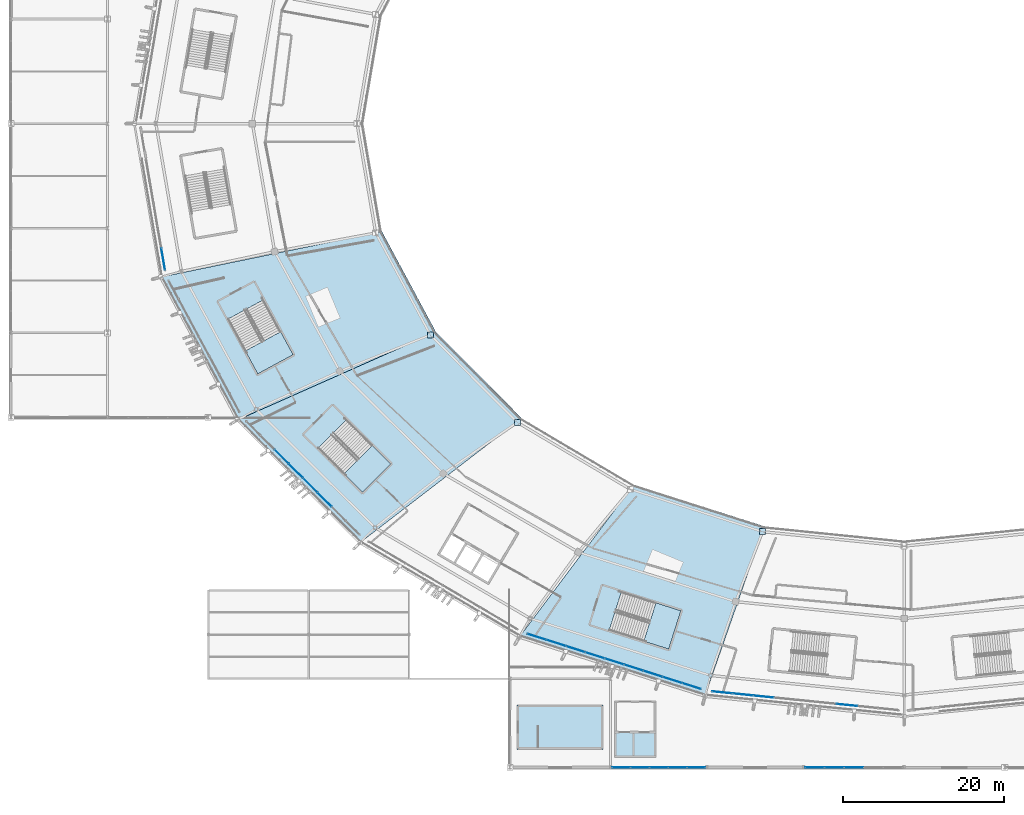
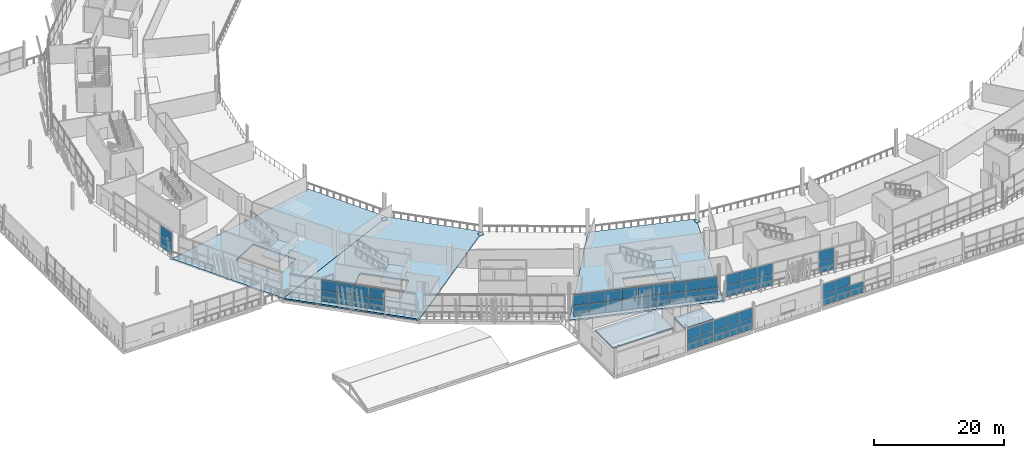
# One storey, part 92 of 179: 54 plates, 8 slabs, 9 elements without a shape of their own.
"""IFC4 building model written with IfcOpenShell, lengths in metres."""

from ifc_helpers import new_model, si_unit, direction, frame, origin, origin_2d, place, context, subcontext, project, spatial, polyline, rectangle, outline, extrude, material, layer, layer_set, type_object, element, aggregate, save


model = new_model("IFC4")

# Units and contexts
model_context = context("Model", 3, precision=1e-05, world=origin(), true_north=direction((0.0, 1.0)))
body_context = subcontext(model_context, "Body", "Model", "MODEL_VIEW")
ifc_project = project(units=[si_unit("LENGTHUNIT", "METRE"), si_unit("AREAUNIT", "SQUARE_METRE"), si_unit("VOLUMEUNIT", "CUBIC_METRE"), si_unit("PLANEANGLEUNIT", "RADIAN"), si_unit("MASSUNIT", "GRAM", prefix="KILO")], contexts=[model_context])

# Site, building, storey
site_placement = place(None, origin())
site = spatial("IfcSite", under=ifc_project, at=site_placement, CompositionType="ELEMENT")
building_placement = place(site_placement, origin())
building = spatial("IfcBuilding", under=site, at=building_placement, Name="Zlatoyarsky Gate Stadium", CompositionType="ELEMENT")
storey_placement = place(building_placement, frame((0.0, 0.0, 10.60009765625)))
storey = spatial("IfcBuildingStorey", under=building, at=storey_placement, Name="L02", CompositionType="ELEMENT", Elevation=10.60009765625)

# Curtain wall, plates
ifc_material_1 = material(Name="Thermally broken anodised aluminium curtain wall", Category="aluminium")
curtain_wall_type_1 = type_object("IfcCurtainWallType", Name="MONUMENTAL ARCHED GATE GLAZING UPPER", PredefinedType="USERDEFINED", material=ifc_material_1)
curtain_wall_1_placement = place(storey_placement, origin())
curtain_wall_1 = element("IfcCurtainWall", 1, at=curtain_wall_1_placement, inside=storey, type_object=curtain_wall_type_1, Name="Curtain wall CW-L02-12", ObjectType="ARCHED GATE GLAZING", PredefinedType="USERDEFINED")
ifc_material_2 = material(Name="Triple-glazed argon low-e architectural glass", Category="glass")
ifc_layer_1 = layer(ifc_material_2, 0.0458984375)
ifc_layer_set_1 = layer_set([ifc_layer_1], Name="Triple-glazed argon low-e architectural glass")
plate_type_1 = type_object("IfcPlateType", Name="ACOUSTIC LAMINATED GATE GLAZING PANEL 46", PredefinedType="CURTAIN_PANEL", material=ifc_layer_set_1)
plate_1_placement = place(storey_placement, frame((18.909912109375, 63.15771484375, 0.074951171875), z_axis=(0.0, 0.0, 1.0), x_axis=(0.168878353177, -0.985636901617, 0.0)))
plate_1 = element("IfcPlate", 2, at=plate_1_placement, type_object=plate_type_1, Name="CW-AG2 panel 5.1", PredefinedType="CURTAIN_PANEL", context=body_context, shape_type="SweptSolid", body=[
    extrude(rectangle(XDim=2.699951171875, YDim=0.0458984375, at=origin_2d()), origin(), (0.0, 0.0, 1.0), 2.03759765625),
])
plate_2_placement = place(storey_placement, frame((18.909912109375, 63.15771484375, 2.1875), z_axis=(0.0, 0.0, 1.0), x_axis=(0.168878353177, -0.985636901617, 0.0)))
plate_2 = element("IfcPlate", 3, at=plate_2_placement, type_object=plate_type_1, Name="CW-AG2 panel 5.2", PredefinedType="CURTAIN_PANEL", context=body_context, shape_type="SweptSolid", body=[
    extrude(rectangle(XDim=2.699951171875, YDim=0.0458984375, at=origin_2d()), origin(), (0.0, 0.0, 1.0), 1.9375),
])
aggregate(curtain_wall_1, [plate_1, plate_2])

# Slabs
ifc_material_3 = material(Name="Concrete C40/50", Category="concrete")
ifc_layer_2 = layer(ifc_material_3, 0.239990234375)
ifc_layer_set_2 = layer_set([ifc_layer_2], Name="Concrete C40/50")
slab_type_1 = type_object("IfcSlabType", Name="CONCRETE CORE TOP CAP SLAB 240", PredefinedType="ROOF", material=ifc_layer_set_2)
slab_1_placement = place(storey_placement, frame((0.0, 0.0, 3.199951171875)))
element("IfcSlab", 4, at=slab_1_placement, inside=storey, type_object=slab_type_1, Name="ST-29 stair headhouse roof cap", PredefinedType="ROOF", context=body_context, shape_type="SweptSolid", body=[
    extrude(outline(polyline([(62.85009765625, 2.25), (73.550048828125, 2.25), (73.550048828125, 7.75), (62.85009765625, 7.75), (62.85009765625, 2.25)])), origin(), (0.0, 0.0, 1.0), 0.239990234375),
])
slab_2_placement = place(storey_placement, frame((0.0, 0.0, 3.199951171875)))
element("IfcSlab", 5, at=slab_2_placement, inside=storey, type_object=slab_type_1, Name="C6 lift overrun top cap slab", PredefinedType="ROOF", context=body_context, shape_type="SweptSolid", body=[
    extrude(outline(polyline([(75.0, 1.199951171875), (80.14990234375, 1.199951171875), (80.14990234375, 4.5), (75.0, 4.5), (75.0, 1.199951171875)])), origin(), (0.0, 0.0, 1.0), 0.239990234375),
])
ifc_layer_3 = layer(ifc_material_3, 0.280029296875)
ifc_layer_set_3 = layer_set([ifc_layer_3], Name="Concrete C40/50")
slab_type_2 = type_object("IfcSlabType", Name="CONCRETE HOSPITALITY SLAB 280", PredefinedType="FLOOR", material=ifc_layer_set_3)
slab_3_placement = place(storey_placement, frame((0.0, 0.0, -0.280029296875)))
element("IfcSlab", 6, at=slab_3_placement, inside=storey, type_object=slab_type_2, Name="L02 bowl sector 13 slab", PredefinedType="FLOOR", context=body_context, shape_type="SweptSolid", body=[
    extrude(outline(polyline([(52.802978515625, 54.10009765625), (28.14208984375, 43.162109375), (18.584228515625, 60.931396484375), (46.08984375, 66.59326171875), (52.802978515625, 54.10009765625)]), holes=[polyline([(31.364501953125, 58.09716796875), (26.969482421875, 55.712646484375), (30.66552734375, 48.90087890625), (35.060302734375, 51.28515625), (31.364501953125, 58.09716796875)])]), origin(), (0.0, 0.0, 1.0), 0.280029296875),
])
slab_4_placement = place(storey_placement, frame((0.0, 0.0, -0.280029296875)))
element("IfcSlab", 7, at=slab_4_placement, inside=storey, type_object=slab_type_2, Name="L02 bowl sector 14 slab", PredefinedType="FLOOR", context=body_context, shape_type="SweptSolid", body=[
    extrude(outline(polyline([(63.482421875, 43.371826171875), (43.346923828125, 27.9033203125), (28.14208984375, 43.162109375), (52.802978515625, 54.10009765625), (63.482421875, 43.371826171875)]), holes=[polyline([(38.171875, 39.652587890625), (43.665771484375, 34.1865234375), (47.1923828125, 37.731201171875), (41.6982421875, 43.197265625), (38.171875, 39.652587890625)])]), origin(), (0.0, 0.0, 1.0), 0.280029296875),
])
slab_5_placement = place(storey_placement, frame((0.0, 0.0, -0.280029296875)))
element("IfcSlab", 8, at=slab_5_placement, inside=storey, type_object=slab_type_2, Name="L02 bowl sector 16 slab", PredefinedType="FLOOR", context=body_context, shape_type="SweptSolid", body=[
    extrude(outline(polyline([(93.607421875, 29.965087890625), (86.2373046875, 8.83447265625), (63.162109375, 16.19482421875), (77.39990234375, 35.139892578125), (93.607421875, 29.965087890625)]), holes=[polyline([(75.854248046875, 21.802978515625), (74.3466796875, 17.035888671875), (81.736083984375, 14.69921875), (83.24365234375, 19.46630859375), (75.854248046875, 21.802978515625)])]), origin(), (0.0, 0.0, 1.0), 0.280029296875),
])

# Stair, slab
stair_type = type_object("IfcStairType", Name="CONCRETE DOGLEG EXIT STAIR H5000", PredefinedType="TWO_STRAIGHT_RUN_STAIR", material=ifc_material_3)
stair_1_placement = place(storey_placement, origin())
stair_1 = element("IfcStair", 9, at=stair_1_placement, inside=storey, type_object=stair_type, Name="L02 Exit Stair ST-08", PredefinedType="TWO_STRAIGHT_RUN_STAIR")
ifc_layer_4 = layer(ifc_material_3, 0.199951171875)
ifc_layer_set_4 = layer_set([ifc_layer_4], Name="Concrete C40/50")
slab_type_3 = type_object("IfcSlabType", Name="CONCRETE STAIR LANDING SLAB 200", PredefinedType="LANDING", material=ifc_layer_set_4)
slab_6_placement = place(storey_placement, frame((0.0, 0.0, 2.2998046875)))
slab_6 = element("IfcSlab", 10, at=slab_6_placement, type_object=slab_type_3, Name="ST-DG50 landing 1", PredefinedType="LANDING", context=body_context, shape_type="SweptSolid", body=[
    extrude(outline(polyline([(41.36181640625, 36.478759765625), (43.665771484375, 34.1865234375), (47.1923828125, 37.73095703125), (44.888427734375, 40.0234375), (41.36181640625, 36.478759765625)])), origin(), (0.0, 0.0, 1.0), 0.2001953125),
])
aggregate(stair_1, [slab_6])

stair_2_placement = place(storey_placement, origin())
stair_2 = element("IfcStair", 11, at=stair_2_placement, inside=storey, type_object=stair_type, Name="L02 Exit Stair ST-09", PredefinedType="TWO_STRAIGHT_RUN_STAIR")
slab_7_placement = place(storey_placement, frame((0.0, 0.0, 2.2998046875)))
slab_7 = element("IfcSlab", 12, at=slab_7_placement, type_object=slab_type_3, Name="ST-DG50 landing 1", PredefinedType="LANDING", context=body_context, shape_type="SweptSolid", body=[
    extrude(outline(polyline([(78.63720703125, 15.678955078125), (81.736083984375, 14.69921875), (83.24365234375, 19.46630859375), (80.144775390625, 20.4462890625), (78.63720703125, 15.678955078125)])), origin(), (0.0, 0.0, 1.0), 0.2001953125),
])
aggregate(stair_2, [slab_7])

stair_3_placement = place(storey_placement, origin())
stair_3 = element("IfcStair", 13, at=stair_3_placement, inside=storey, type_object=stair_type, Name="L02 Exit Stair ST-15", PredefinedType="TWO_STRAIGHT_RUN_STAIR")
slab_8_placement = place(storey_placement, frame((0.0, 0.0, 2.2998046875)))
slab_8 = element("IfcSlab", 14, at=slab_8_placement, type_object=slab_type_3, Name="ST-DG50 landing 1", PredefinedType="LANDING", context=body_context, shape_type="SweptSolid", body=[
    extrude(outline(polyline([(29.115478515625, 51.75732421875), (30.66552734375, 48.90087890625), (35.060302734375, 51.28515625), (33.510498046875, 54.141845703125), (29.115478515625, 51.75732421875)])), origin(), (0.0, 0.0, 1.0), 0.2001953125),
])
aggregate(stair_3, [slab_8])

# Plates
ifc_material_4 = material(Name="Steel S355", Category="steel")
ifc_layer_5 = layer(ifc_material_4, 0.0400390625)
ifc_layer_set_5 = layer_set([ifc_layer_5], Name="Steel S355")
plate_type_2 = type_object("IfcPlateType", Name="STEEL COLUMN BASE PLATE 40", PredefinedType="USERDEFINED", material=ifc_layer_set_5)
for number, where, z_axis, x_axis, name in (
    (15, (52.1103515625, 53.75, 0.0), (0.0, 0.0, 1.0), (1.0, 0.0, 0.0), "Column base plate BP-01 at RA-14 L02"),
    (16, (62.916748046875, 42.876953125, 0.0), (0.0, 0.0, 1.0), (1.0, 0.0, 0.0), "Column base plate BP-01 at RA-15 L02"),
    (17, (93.400390625, 29.288818359375, 0.0), (0.0, 0.0, 1.0), (1.0, 0.0, 0.0), "Column base plate BP-01 at RA-17 L02"),
):
    element("IfcPlate", number, at=place(storey_placement, frame(where, z_axis=z_axis, x_axis=x_axis)), inside=storey, type_object=plate_type_2, Name=name, ObjectType="BASE PLATE", PredefinedType="USERDEFINED", context=body_context, shape_type="SweptSolid", body=[
        extrude(rectangle(XDim=0.75, YDim=0.75, at=origin_2d()), origin(), (0.0, 0.0, 1.0), 0.0400390625),
    ])

# Curtain wall, plates
curtain_wall_type_2 = type_object("IfcCurtainWallType", Name="UNITISED HOSPITALITY GLAZING L02", PredefinedType="USERDEFINED", material=ifc_material_1)
curtain_wall_2_placement = place(storey_placement, origin())
curtain_wall_2 = element("IfcCurtainWall", 18, at=curtain_wall_2_placement, inside=storey, type_object=curtain_wall_type_2, Name="Curtain wall CW-L02-14", ObjectType="UNITISED GLAZING", PredefinedType="USERDEFINED")
ifc_layer_6 = layer(ifc_material_2, 0.0380859375)
ifc_layer_set_6 = layer_set([ifc_layer_6], Name="Triple-glazed argon low-e architectural glass")
plate_type_3 = type_object("IfcPlateType", Name="TRIPLE GLAZED LOW E CURTAIN PANEL 38", PredefinedType="CURTAIN_PANEL", material=ifc_layer_set_6)
plate_3_placement = place(storey_placement, frame((33.637451171875, 38.616455078125, 0.06494140625), z_axis=(0.0, 0.0, 1.0), x_axis=(0.706625557031, -0.707587678066, 0.0)))
plate_3 = element("IfcPlate", 19, at=plate_3_placement, type_object=plate_type_3, Name="CW-UG2 panel 3.1", PredefinedType="CURTAIN_PANEL", context=body_context, shape_type="SweptSolid", body=[
    extrude(rectangle(XDim=2.4423828125, YDim=0.0380859375, at=origin_2d()), origin(), (0.0, 0.0, 1.0), 2.052490234375),
])
plate_4_placement = place(storey_placement, frame((33.637451171875, 38.616455078125, 2.1826171875), z_axis=(0.0, 0.0, 1.0), x_axis=(0.706625557031, -0.707587678066, 0.0)))
plate_4 = element("IfcPlate", 20, at=plate_4_placement, type_object=plate_type_3, Name="CW-UG2 panel 3.2", PredefinedType="CURTAIN_PANEL", context=body_context, shape_type="SweptSolid", body=[
    extrude(rectangle(XDim=2.4423828125, YDim=0.0380859375, at=origin_2d()), origin(), (0.0, 0.0, 1.0), 1.952392578125),
])
plate_5_placement = place(storey_placement, frame((35.4091796875, 36.84228515625, 0.06494140625), z_axis=(0.0, 0.0, 1.0), x_axis=(0.706625557031, -0.707587678066, 0.0)))
plate_5 = element("IfcPlate", 21, at=plate_5_placement, type_object=plate_type_3, Name="CW-UG2 panel 4.1", PredefinedType="CURTAIN_PANEL", context=body_context, shape_type="SweptSolid", body=[
    extrude(rectangle(XDim=2.4423828125, YDim=0.0380859375, at=origin_2d()), origin(), (0.0, 0.0, 1.0), 2.052490234375),
])
plate_6_placement = place(storey_placement, frame((35.4091796875, 36.84228515625, 2.1826171875), z_axis=(0.0, 0.0, 1.0), x_axis=(0.706625557031, -0.707587678066, 0.0)))
plate_6 = element("IfcPlate", 22, at=plate_6_placement, type_object=plate_type_3, Name="CW-UG2 panel 4.2", PredefinedType="CURTAIN_PANEL", context=body_context, shape_type="SweptSolid", body=[
    extrude(rectangle(XDim=2.4423828125, YDim=0.0380859375, at=origin_2d()), origin(), (0.0, 0.0, 1.0), 1.952392578125),
])
plate_7_placement = place(storey_placement, frame((37.18115234375, 35.068115234375, 0.06494140625), z_axis=(0.0, 0.0, 1.0), x_axis=(0.706625557031, -0.707587678066, 0.0)))
plate_7 = element("IfcPlate", 23, at=plate_7_placement, type_object=plate_type_3, Name="CW-UG2 panel 5.1", PredefinedType="CURTAIN_PANEL", context=body_context, shape_type="SweptSolid", body=[
    extrude(rectangle(XDim=2.4423828125, YDim=0.0380859375, at=origin_2d()), origin(), (0.0, 0.0, 1.0), 2.052490234375),
])
plate_8_placement = place(storey_placement, frame((37.18115234375, 35.068115234375, 2.1826171875), z_axis=(0.0, 0.0, 1.0), x_axis=(0.706625557031, -0.707587678066, 0.0)))
plate_8 = element("IfcPlate", 24, at=plate_8_placement, type_object=plate_type_3, Name="CW-UG2 panel 5.2", PredefinedType="CURTAIN_PANEL", context=body_context, shape_type="SweptSolid", body=[
    extrude(rectangle(XDim=2.4423828125, YDim=0.0380859375, at=origin_2d()), origin(), (0.0, 0.0, 1.0), 1.952392578125),
])
plate_9_placement = place(storey_placement, frame((38.952880859375, 33.293701171875, 0.06494140625), z_axis=(0.0, 0.0, 1.0), x_axis=(0.706625557031, -0.707587678066, 0.0)))
plate_9 = element("IfcPlate", 25, at=plate_9_placement, type_object=plate_type_3, Name="CW-UG2 panel 6.1", PredefinedType="CURTAIN_PANEL", context=body_context, shape_type="SweptSolid", body=[
    extrude(rectangle(XDim=2.4423828125, YDim=0.0380859375, at=origin_2d()), origin(), (0.0, 0.0, 1.0), 2.052490234375),
])
plate_10_placement = place(storey_placement, frame((38.952880859375, 33.293701171875, 2.1826171875), z_axis=(0.0, 0.0, 1.0), x_axis=(0.706625557031, -0.707587678066, 0.0)))
plate_10 = element("IfcPlate", 26, at=plate_10_placement, type_object=plate_type_3, Name="CW-UG2 panel 6.2", PredefinedType="CURTAIN_PANEL", context=body_context, shape_type="SweptSolid", body=[
    extrude(rectangle(XDim=2.4423828125, YDim=0.0380859375, at=origin_2d()), origin(), (0.0, 0.0, 1.0), 1.952392578125),
])
aggregate(curtain_wall_2, [plate_3, plate_4, plate_5, plate_6, plate_7, plate_8, plate_9, plate_10])

curtain_wall_3_placement = place(storey_placement, origin())
curtain_wall_3 = element("IfcCurtainWall", 27, at=curtain_wall_3_placement, inside=storey, type_object=curtain_wall_type_2, Name="Curtain wall CW-L02-16", ObjectType="UNITISED GLAZING", PredefinedType="USERDEFINED")
plate_11_placement = place(storey_placement, frame((65.3505859375, 16.2158203125, 0.06494140625), z_axis=(0.0, 0.0, 1.0), x_axis=(0.952902096538, -0.303278080998, 0.0)))
plate_11 = element("IfcPlate", 28, at=plate_11_placement, type_object=plate_type_3, Name="CW-UG2 panel 1.1", PredefinedType="CURTAIN_PANEL", context=body_context, shape_type="SweptSolid", body=[
    extrude(rectangle(XDim=2.428955078125, YDim=0.0380859375, at=origin_2d()), origin(), (0.0, 0.0, 1.0), 2.052490234375),
])
plate_12_placement = place(storey_placement, frame((65.3505859375, 16.2158203125, 2.1826171875), z_axis=(0.0, 0.0, 1.0), x_axis=(0.952902096538, -0.303278080998, 0.0)))
plate_12 = element("IfcPlate", 29, at=plate_12_placement, type_object=plate_type_3, Name="CW-UG2 panel 1.2", PredefinedType="CURTAIN_PANEL", context=body_context, shape_type="SweptSolid", body=[
    extrude(rectangle(XDim=2.428955078125, YDim=0.0380859375, at=origin_2d()), origin(), (0.0, 0.0, 1.0), 1.952392578125),
])
plate_13_placement = place(storey_placement, frame((67.74267578125, 15.45458984375, 0.06494140625), z_axis=(0.0, 0.0, 1.0), x_axis=(0.952902096538, -0.303278080998, 0.0)))
plate_13 = element("IfcPlate", 30, at=plate_13_placement, type_object=plate_type_3, Name="CW-UG2 panel 2.1", PredefinedType="CURTAIN_PANEL", context=body_context, shape_type="SweptSolid", body=[
    extrude(rectangle(XDim=2.46142578125, YDim=0.0380859375, at=origin_2d()), origin(), (0.0, 0.0, 1.0), 2.052490234375),
])
plate_14_placement = place(storey_placement, frame((67.74267578125, 15.45458984375, 2.1826171875), z_axis=(0.0, 0.0, 1.0), x_axis=(0.952902096538, -0.303278080998, 0.0)))
plate_14 = element("IfcPlate", 31, at=plate_14_placement, type_object=plate_type_3, Name="CW-UG2 panel 2.2", PredefinedType="CURTAIN_PANEL", context=body_context, shape_type="SweptSolid", body=[
    extrude(rectangle(XDim=2.46142578125, YDim=0.0380859375, at=origin_2d()), origin(), (0.0, 0.0, 1.0), 1.952392578125),
])
plate_15_placement = place(storey_placement, frame((70.150146484375, 14.688232421875, 0.06494140625), z_axis=(0.0, 0.0, 1.0), x_axis=(0.952902096538, -0.303278080998, 0.0)))
plate_15 = element("IfcPlate", 32, at=plate_15_placement, type_object=plate_type_3, Name="CW-UG2 panel 3.1", PredefinedType="CURTAIN_PANEL", context=body_context, shape_type="SweptSolid", body=[
    extrude(rectangle(XDim=2.46142578125, YDim=0.0380859375, at=origin_2d()), origin(), (0.0, 0.0, 1.0), 2.052490234375),
])
plate_16_placement = place(storey_placement, frame((70.150146484375, 14.688232421875, 2.1826171875), z_axis=(0.0, 0.0, 1.0), x_axis=(0.952902096538, -0.303278080998, 0.0)))
plate_16 = element("IfcPlate", 33, at=plate_16_placement, type_object=plate_type_3, Name="CW-UG2 panel 3.2", PredefinedType="CURTAIN_PANEL", context=body_context, shape_type="SweptSolid", body=[
    extrude(rectangle(XDim=2.46142578125, YDim=0.0380859375, at=origin_2d()), origin(), (0.0, 0.0, 1.0), 1.952392578125),
])
plate_17_placement = place(storey_placement, frame((72.5576171875, 13.922119140625, 0.06494140625), z_axis=(0.0, 0.0, 1.0), x_axis=(0.952902096538, -0.303278080998, 0.0)))
plate_17 = element("IfcPlate", 34, at=plate_17_placement, type_object=plate_type_3, Name="CW-UG2 panel 4.1", PredefinedType="CURTAIN_PANEL", context=body_context, shape_type="SweptSolid", body=[
    extrude(rectangle(XDim=2.46142578125, YDim=0.0380859375, at=origin_2d()), origin(), (0.0, 0.0, 1.0), 2.052490234375),
])
plate_18_placement = place(storey_placement, frame((72.5576171875, 13.922119140625, 2.1826171875), z_axis=(0.0, 0.0, 1.0), x_axis=(0.952902096538, -0.303278080998, 0.0)))
plate_18 = element("IfcPlate", 35, at=plate_18_placement, type_object=plate_type_3, Name="CW-UG2 panel 4.2", PredefinedType="CURTAIN_PANEL", context=body_context, shape_type="SweptSolid", body=[
    extrude(rectangle(XDim=2.46142578125, YDim=0.0380859375, at=origin_2d()), origin(), (0.0, 0.0, 1.0), 1.952392578125),
])
plate_19_placement = place(storey_placement, frame((74.965087890625, 13.15576171875, 0.06494140625), z_axis=(0.0, 0.0, 1.0), x_axis=(0.952902096538, -0.303278080998, 0.0)))
plate_19 = element("IfcPlate", 36, at=plate_19_placement, type_object=plate_type_3, Name="CW-UG2 panel 5.1", PredefinedType="CURTAIN_PANEL", context=body_context, shape_type="SweptSolid", body=[
    extrude(rectangle(XDim=2.46142578125, YDim=0.0380859375, at=origin_2d()), origin(), (0.0, 0.0, 1.0), 2.052490234375),
])
plate_20_placement = place(storey_placement, frame((74.965087890625, 13.15576171875, 2.1826171875), z_axis=(0.0, 0.0, 1.0), x_axis=(0.952902096538, -0.303278080998, 0.0)))
plate_20 = element("IfcPlate", 37, at=plate_20_placement, type_object=plate_type_3, Name="CW-UG2 panel 5.2", PredefinedType="CURTAIN_PANEL", context=body_context, shape_type="SweptSolid", body=[
    extrude(rectangle(XDim=2.46142578125, YDim=0.0380859375, at=origin_2d()), origin(), (0.0, 0.0, 1.0), 1.952392578125),
])
plate_21_placement = place(storey_placement, frame((77.372802734375, 12.3896484375, 0.06494140625), z_axis=(0.0, 0.0, 1.0), x_axis=(0.952902096538, -0.303278080998, 0.0)))
plate_21 = element("IfcPlate", 38, at=plate_21_placement, type_object=plate_type_3, Name="CW-UG2 panel 6.1", PredefinedType="CURTAIN_PANEL", context=body_context, shape_type="SweptSolid", body=[
    extrude(rectangle(XDim=2.46142578125, YDim=0.0380859375, at=origin_2d()), origin(), (0.0, 0.0, 1.0), 2.052490234375),
])
plate_22_placement = place(storey_placement, frame((77.372802734375, 12.3896484375, 2.1826171875), z_axis=(0.0, 0.0, 1.0), x_axis=(0.952902096538, -0.303278080998, 0.0)))
plate_22 = element("IfcPlate", 39, at=plate_22_placement, type_object=plate_type_3, Name="CW-UG2 panel 6.2", PredefinedType="CURTAIN_PANEL", context=body_context, shape_type="SweptSolid", body=[
    extrude(rectangle(XDim=2.46142578125, YDim=0.0380859375, at=origin_2d()), origin(), (0.0, 0.0, 1.0), 1.952392578125),
])
plate_23_placement = place(storey_placement, frame((79.7802734375, 11.623291015625, 0.06494140625), z_axis=(0.0, 0.0, 1.0), x_axis=(0.952902096538, -0.303278080998, 0.0)))
plate_23 = element("IfcPlate", 40, at=plate_23_placement, type_object=plate_type_3, Name="CW-UG2 panel 7.1", PredefinedType="CURTAIN_PANEL", context=body_context, shape_type="SweptSolid", body=[
    extrude(rectangle(XDim=2.46142578125, YDim=0.0380859375, at=origin_2d()), origin(), (0.0, 0.0, 1.0), 2.052490234375),
])
plate_24_placement = place(storey_placement, frame((79.7802734375, 11.623291015625, 2.1826171875), z_axis=(0.0, 0.0, 1.0), x_axis=(0.952902096538, -0.303278080998, 0.0)))
plate_24 = element("IfcPlate", 41, at=plate_24_placement, type_object=plate_type_3, Name="CW-UG2 panel 7.2", PredefinedType="CURTAIN_PANEL", context=body_context, shape_type="SweptSolid", body=[
    extrude(rectangle(XDim=2.46142578125, YDim=0.0380859375, at=origin_2d()), origin(), (0.0, 0.0, 1.0), 1.952392578125),
])
plate_25_placement = place(storey_placement, frame((82.187744140625, 10.857177734375, 0.06494140625), z_axis=(0.0, 0.0, 1.0), x_axis=(0.952902096538, -0.303278080998, 0.0)))
plate_25 = element("IfcPlate", 42, at=plate_25_placement, type_object=plate_type_3, Name="CW-UG2 panel 8.1", PredefinedType="CURTAIN_PANEL", context=body_context, shape_type="SweptSolid", body=[
    extrude(rectangle(XDim=2.46142578125, YDim=0.0380859375, at=origin_2d()), origin(), (0.0, 0.0, 1.0), 2.052490234375),
])
plate_26_placement = place(storey_placement, frame((82.187744140625, 10.857177734375, 2.1826171875), z_axis=(0.0, 0.0, 1.0), x_axis=(0.952902096538, -0.303278080998, 0.0)))
plate_26 = element("IfcPlate", 43, at=plate_26_placement, type_object=plate_type_3, Name="CW-UG2 panel 8.2", PredefinedType="CURTAIN_PANEL", context=body_context, shape_type="SweptSolid", body=[
    extrude(rectangle(XDim=2.46142578125, YDim=0.0380859375, at=origin_2d()), origin(), (0.0, 0.0, 1.0), 1.952392578125),
])
plate_27_placement = place(storey_placement, frame((84.579833984375, 10.095947265625, 0.06494140625), z_axis=(0.0, 0.0, 1.0), x_axis=(0.952902096538, -0.303278080998, 0.0)))
plate_27 = element("IfcPlate", 44, at=plate_27_placement, type_object=plate_type_3, Name="CW-UG2 panel 9.1", PredefinedType="CURTAIN_PANEL", context=body_context, shape_type="SweptSolid", body=[
    extrude(rectangle(XDim=2.428955078125, YDim=0.0380859375, at=origin_2d()), origin(), (0.0, 0.0, 1.0), 2.052490234375),
])
plate_28_placement = place(storey_placement, frame((84.579833984375, 10.095947265625, 2.1826171875), z_axis=(0.0, 0.0, 1.0), x_axis=(0.952902096538, -0.303278080998, 0.0)))
plate_28 = element("IfcPlate", 45, at=plate_28_placement, type_object=plate_type_3, Name="CW-UG2 panel 9.2", PredefinedType="CURTAIN_PANEL", context=body_context, shape_type="SweptSolid", body=[
    extrude(rectangle(XDim=2.428955078125, YDim=0.0380859375, at=origin_2d()), origin(), (0.0, 0.0, 1.0), 1.952392578125),
])
aggregate(curtain_wall_3, [plate_11, plate_12, plate_13, plate_14, plate_15, plate_16, plate_17, plate_18, plate_19, plate_20, plate_21, plate_22, plate_23, plate_24, plate_25, plate_26, plate_27, plate_28])

curtain_wall_4_placement = place(storey_placement, origin())
curtain_wall_4 = element("IfcCurtainWall", 46, at=curtain_wall_4_placement, inside=storey, type_object=curtain_wall_type_2, Name="Curtain wall CW-L02-17", ObjectType="UNITISED GLAZING", PredefinedType="USERDEFINED")
plate_29_placement = place(storey_placement, frame((88.375, 9.312744140625, 0.06494140625), z_axis=(0.0, 0.0, 1.0), x_axis=(0.994922412577, -0.100644885375, 0.0)))
plate_29 = element("IfcPlate", 47, at=plate_29_placement, type_object=plate_type_3, Name="CW-UG2 panel 1.1", PredefinedType="CURTAIN_PANEL", context=body_context, shape_type="SweptSolid", body=[
    extrude(rectangle(XDim=2.503173828125, YDim=0.0380859375, at=origin_2d()), origin(), (0.0, 0.0, 1.0), 2.052490234375),
])
plate_30_placement = place(storey_placement, frame((88.375, 9.312744140625, 2.1826171875), z_axis=(0.0, 0.0, 1.0), x_axis=(0.994922412577, -0.100644885375, 0.0)))
plate_30 = element("IfcPlate", 48, at=plate_30_placement, type_object=plate_type_3, Name="CW-UG2 panel 1.2", PredefinedType="CURTAIN_PANEL", context=body_context, shape_type="SweptSolid", body=[
    extrude(rectangle(XDim=2.503173828125, YDim=0.0380859375, at=origin_2d()), origin(), (0.0, 0.0, 1.0), 1.952392578125),
])
plate_31_placement = place(storey_placement, frame((90.946533203125, 9.052734375, 0.06494140625), z_axis=(0.0, 0.0, 1.0), x_axis=(0.994922412577, -0.100644885375, 0.0)))
plate_31 = element("IfcPlate", 49, at=plate_31_placement, type_object=plate_type_3, Name="CW-UG2 panel 2.1", PredefinedType="CURTAIN_PANEL", context=body_context, shape_type="SweptSolid", body=[
    extrude(rectangle(XDim=2.535888671875, YDim=0.0380859375, at=origin_2d()), origin(), (0.0, 0.0, 1.0), 2.052490234375),
])
plate_32_placement = place(storey_placement, frame((90.946533203125, 9.052734375, 2.1826171875), z_axis=(0.0, 0.0, 1.0), x_axis=(0.994922412577, -0.100644885375, 0.0)))
plate_32 = element("IfcPlate", 50, at=plate_32_placement, type_object=plate_type_3, Name="CW-UG2 panel 2.2", PredefinedType="CURTAIN_PANEL", context=body_context, shape_type="SweptSolid", body=[
    extrude(rectangle(XDim=2.535888671875, YDim=0.0380859375, at=origin_2d()), origin(), (0.0, 0.0, 1.0), 1.952392578125),
])
plate_33_placement = place(storey_placement, frame((93.533935546875, 8.791015625, 0.06494140625), z_axis=(0.0, 0.0, 1.0), x_axis=(0.994922412577, -0.100644885375, 0.0)))
plate_33 = element("IfcPlate", 51, at=plate_33_placement, type_object=plate_type_3, Name="CW-UG2 panel 3.1", PredefinedType="CURTAIN_PANEL", context=body_context, shape_type="SweptSolid", body=[
    extrude(rectangle(XDim=2.535888671875, YDim=0.0380859375, at=origin_2d()), origin(), (0.0, 0.0, 1.0), 2.052490234375),
])
plate_34_placement = place(storey_placement, frame((93.533935546875, 8.791015625, 2.1826171875), z_axis=(0.0, 0.0, 1.0), x_axis=(0.994922412577, -0.100644885375, 0.0)))
plate_34 = element("IfcPlate", 52, at=plate_34_placement, type_object=plate_type_3, Name="CW-UG2 panel 3.2", PredefinedType="CURTAIN_PANEL", context=body_context, shape_type="SweptSolid", body=[
    extrude(rectangle(XDim=2.535888671875, YDim=0.0380859375, at=origin_2d()), origin(), (0.0, 0.0, 1.0), 1.952392578125),
])
plate_35_placement = place(storey_placement, frame((103.88427734375, 7.743896484375, 0.06494140625), z_axis=(0.0, 0.0, 1.0), x_axis=(0.994922412577, -0.100644885375, 0.0)))
plate_35 = element("IfcPlate", 53, at=plate_35_placement, type_object=plate_type_3, Name="CW-UG2 panel 7.1", PredefinedType="CURTAIN_PANEL", context=body_context, shape_type="SweptSolid", body=[
    extrude(rectangle(XDim=2.535888671875, YDim=0.0380859375, at=origin_2d()), origin(), (0.0, 0.0, 1.0), 2.052490234375),
])
plate_36_placement = place(storey_placement, frame((103.88427734375, 7.743896484375, 2.1826171875), z_axis=(0.0, 0.0, 1.0), x_axis=(0.994922412577, -0.100644885375, 0.0)))
plate_36 = element("IfcPlate", 54, at=plate_36_placement, type_object=plate_type_3, Name="CW-UG2 panel 7.2", PredefinedType="CURTAIN_PANEL", context=body_context, shape_type="SweptSolid", body=[
    extrude(rectangle(XDim=2.535888671875, YDim=0.0380859375, at=origin_2d()), origin(), (0.0, 0.0, 1.0), 1.952392578125),
])
aggregate(curtain_wall_4, [plate_29, plate_30, plate_31, plate_32, plate_33, plate_34, plate_35, plate_36])

curtain_wall_type_3 = type_object("IfcCurtainWallType", Name="WINTER GARDEN CONSERVATORY GLAZING", PredefinedType="USERDEFINED", material=ifc_material_1)
curtain_wall_5_placement = place(storey_placement, origin())
curtain_wall_5 = element("IfcCurtainWall", 55, at=curtain_wall_5_placement, inside=storey, type_object=curtain_wall_type_3, Name="Curtain wall CW-V3_SOUTH-L02-161", ObjectType="UNITISED GLAZING", PredefinedType="USERDEFINED")
plate_37_placement = place(storey_placement, frame((75.845947265625, 0.0, 0.06494140625), z_axis=(0.0, 0.0, 1.0), x_axis=(1.0, 0.0, 0.0)))
plate_37 = element("IfcPlate", 56, at=plate_37_placement, type_object=plate_type_3, Name="CW-WG1 panel 1.1", PredefinedType="CURTAIN_PANEL", context=body_context, shape_type="SweptSolid", body=[
    extrude(rectangle(XDim=2.23779296875, YDim=0.0380859375, at=origin_2d()), origin(), (0.0, 0.0, 1.0), 2.052490234375),
])
plate_38_placement = place(storey_placement, frame((75.845947265625, 0.0, 2.182373046875), z_axis=(0.0, 0.0, 1.0), x_axis=(1.0, 0.0, 0.0)))
plate_38 = element("IfcPlate", 57, at=plate_38_placement, type_object=plate_type_3, Name="CW-WG1 panel 1.2", PredefinedType="CURTAIN_PANEL", context=body_context, shape_type="SweptSolid", body=[
    extrude(rectangle(XDim=2.23779296875, YDim=0.0380859375, at=origin_2d()), origin(), (0.0, 0.0, 1.0), 1.8525390625),
])
plate_39_placement = place(storey_placement, frame((78.164794921875, 0.0, 0.06494140625), z_axis=(0.0, 0.0, 1.0), x_axis=(1.0, 0.0, 0.0)))
plate_39 = element("IfcPlate", 58, at=plate_39_placement, type_object=plate_type_3, Name="CW-WG1 panel 2.1", PredefinedType="CURTAIN_PANEL", context=body_context, shape_type="SweptSolid", body=[
    extrude(rectangle(XDim=2.270263671875, YDim=0.0380859375, at=origin_2d()), origin(), (0.0, 0.0, 1.0), 2.052490234375),
])
plate_40_placement = place(storey_placement, frame((78.164794921875, 0.0, 2.182373046875), z_axis=(0.0, 0.0, 1.0), x_axis=(1.0, 0.0, 0.0)))
plate_40 = element("IfcPlate", 59, at=plate_40_placement, type_object=plate_type_3, Name="CW-WG1 panel 2.2", PredefinedType="CURTAIN_PANEL", context=body_context, shape_type="SweptSolid", body=[
    extrude(rectangle(XDim=2.270263671875, YDim=0.0380859375, at=origin_2d()), origin(), (0.0, 0.0, 1.0), 1.8525390625),
])
plate_41_placement = place(storey_placement, frame((80.5, 0.0, 0.06494140625), z_axis=(0.0, 0.0, 1.0), x_axis=(1.0, 0.0, 0.0)))
plate_41 = element("IfcPlate", 60, at=plate_41_placement, type_object=plate_type_3, Name="CW-WG1 panel 3.1", PredefinedType="CURTAIN_PANEL", context=body_context, shape_type="SweptSolid", body=[
    extrude(rectangle(XDim=2.270263671875, YDim=0.0380859375, at=origin_2d()), origin(), (0.0, 0.0, 1.0), 2.052490234375),
])
plate_42_placement = place(storey_placement, frame((80.5, 0.0, 2.182373046875), z_axis=(0.0, 0.0, 1.0), x_axis=(1.0, 0.0, 0.0)))
plate_42 = element("IfcPlate", 61, at=plate_42_placement, type_object=plate_type_3, Name="CW-WG1 panel 3.2", PredefinedType="CURTAIN_PANEL", context=body_context, shape_type="SweptSolid", body=[
    extrude(rectangle(XDim=2.270263671875, YDim=0.0380859375, at=origin_2d()), origin(), (0.0, 0.0, 1.0), 1.8525390625),
])
plate_43_placement = place(storey_placement, frame((82.835205078125, 0.0, 0.06494140625), z_axis=(0.0, 0.0, 1.0), x_axis=(1.0, 0.0, 0.0)))
plate_43 = element("IfcPlate", 62, at=plate_43_placement, type_object=plate_type_3, Name="CW-WG1 panel 4.1", PredefinedType="CURTAIN_PANEL", context=body_context, shape_type="SweptSolid", body=[
    extrude(rectangle(XDim=2.270263671875, YDim=0.0380859375, at=origin_2d()), origin(), (0.0, 0.0, 1.0), 2.052490234375),
])
plate_44_placement = place(storey_placement, frame((82.835205078125, 0.0, 2.182373046875), z_axis=(0.0, 0.0, 1.0), x_axis=(1.0, 0.0, 0.0)))
plate_44 = element("IfcPlate", 63, at=plate_44_placement, type_object=plate_type_3, Name="CW-WG1 panel 4.2", PredefinedType="CURTAIN_PANEL", context=body_context, shape_type="SweptSolid", body=[
    extrude(rectangle(XDim=2.270263671875, YDim=0.0380859375, at=origin_2d()), origin(), (0.0, 0.0, 1.0), 1.8525390625),
])
plate_45_placement = place(storey_placement, frame((85.154052734375, 0.0, 0.06494140625), z_axis=(0.0, 0.0, 1.0), x_axis=(1.0, 0.0, 0.0)))
plate_45 = element("IfcPlate", 64, at=plate_45_placement, type_object=plate_type_3, Name="CW-WG1 panel 5.1", PredefinedType="CURTAIN_PANEL", context=body_context, shape_type="SweptSolid", body=[
    extrude(rectangle(XDim=2.23779296875, YDim=0.0380859375, at=origin_2d()), origin(), (0.0, 0.0, 1.0), 2.052490234375),
])
plate_46_placement = place(storey_placement, frame((85.154052734375, 0.0, 2.182373046875), z_axis=(0.0, 0.0, 1.0), x_axis=(1.0, 0.0, 0.0)))
plate_46 = element("IfcPlate", 65, at=plate_46_placement, type_object=plate_type_3, Name="CW-WG1 panel 5.2", PredefinedType="CURTAIN_PANEL", context=body_context, shape_type="SweptSolid", body=[
    extrude(rectangle(XDim=2.23779296875, YDim=0.0380859375, at=origin_2d()), origin(), (0.0, 0.0, 1.0), 1.8525390625),
])
aggregate(curtain_wall_5, [plate_37, plate_38, plate_39, plate_40, plate_41, plate_42, plate_43, plate_44, plate_45, plate_46])

curtain_wall_6_placement = place(storey_placement, origin())
curtain_wall_6 = element("IfcCurtainWall", 66, at=curtain_wall_6_placement, inside=storey, type_object=curtain_wall_type_3, Name="Curtain wall CW-V3_SOUTH-L02-162", ObjectType="UNITISED GLAZING", PredefinedType="USERDEFINED")
plate_47_placement = place(storey_placement, frame((99.895751953125, 0.0, 0.06494140625), z_axis=(0.0, 0.0, 1.0), x_axis=(1.0, 0.0, 0.0)))
plate_47 = element("IfcPlate", 67, at=plate_47_placement, type_object=plate_type_3, Name="CW-WG1 panel 1.1", PredefinedType="CURTAIN_PANEL", context=body_context, shape_type="SweptSolid", body=[
    extrude(rectangle(XDim=2.337646484375, YDim=0.0380859375, at=origin_2d()), origin(), (0.0, 0.0, 1.0), 2.052490234375),
])
plate_48_placement = place(storey_placement, frame((99.895751953125, 0.0, 2.182373046875), z_axis=(0.0, 0.0, 1.0), x_axis=(1.0, 0.0, 0.0)))
plate_48 = element("IfcPlate", 68, at=plate_48_placement, type_object=plate_type_3, Name="CW-WG1 panel 1.2", PredefinedType="CURTAIN_PANEL", context=body_context, shape_type="SweptSolid", body=[
    extrude(rectangle(XDim=2.337646484375, YDim=0.0380859375, at=origin_2d()), origin(), (0.0, 0.0, 1.0), 1.8525390625),
])
plate_49_placement = place(storey_placement, frame((102.314697265625, 0.0, 0.06494140625), z_axis=(0.0, 0.0, 1.0), x_axis=(1.0, 0.0, 0.0)))
plate_49 = element("IfcPlate", 69, at=plate_49_placement, type_object=plate_type_3, Name="CW-WG1 panel 2.1", PredefinedType="CURTAIN_PANEL", context=body_context, shape_type="SweptSolid", body=[
    extrude(rectangle(XDim=2.3701171875, YDim=0.0380859375, at=origin_2d()), origin(), (0.0, 0.0, 1.0), 2.052490234375),
])
plate_50_placement = place(storey_placement, frame((102.314697265625, 0.0, 2.182373046875), z_axis=(0.0, 0.0, 1.0), x_axis=(1.0, 0.0, 0.0)))
plate_50 = element("IfcPlate", 70, at=plate_50_placement, type_object=plate_type_3, Name="CW-WG1 panel 2.2", PredefinedType="CURTAIN_PANEL", context=body_context, shape_type="SweptSolid", body=[
    extrude(rectangle(XDim=2.3701171875, YDim=0.0380859375, at=origin_2d()), origin(), (0.0, 0.0, 1.0), 1.8525390625),
])
plate_51_placement = place(storey_placement, frame((104.75, 0.0, 0.06494140625), z_axis=(0.0, 0.0, 1.0), x_axis=(1.0, 0.0, 0.0)))
plate_51 = element("IfcPlate", 71, at=plate_51_placement, type_object=plate_type_3, Name="CW-WG1 panel 3.1", PredefinedType="CURTAIN_PANEL", context=body_context, shape_type="SweptSolid", body=[
    extrude(rectangle(XDim=2.3701171875, YDim=0.0380859375, at=origin_2d()), origin(), (0.0, 0.0, 1.0), 2.052490234375),
])
aggregate(curtain_wall_6, [plate_47, plate_48, plate_49, plate_50, plate_51])

save(model, "model.ifc")
